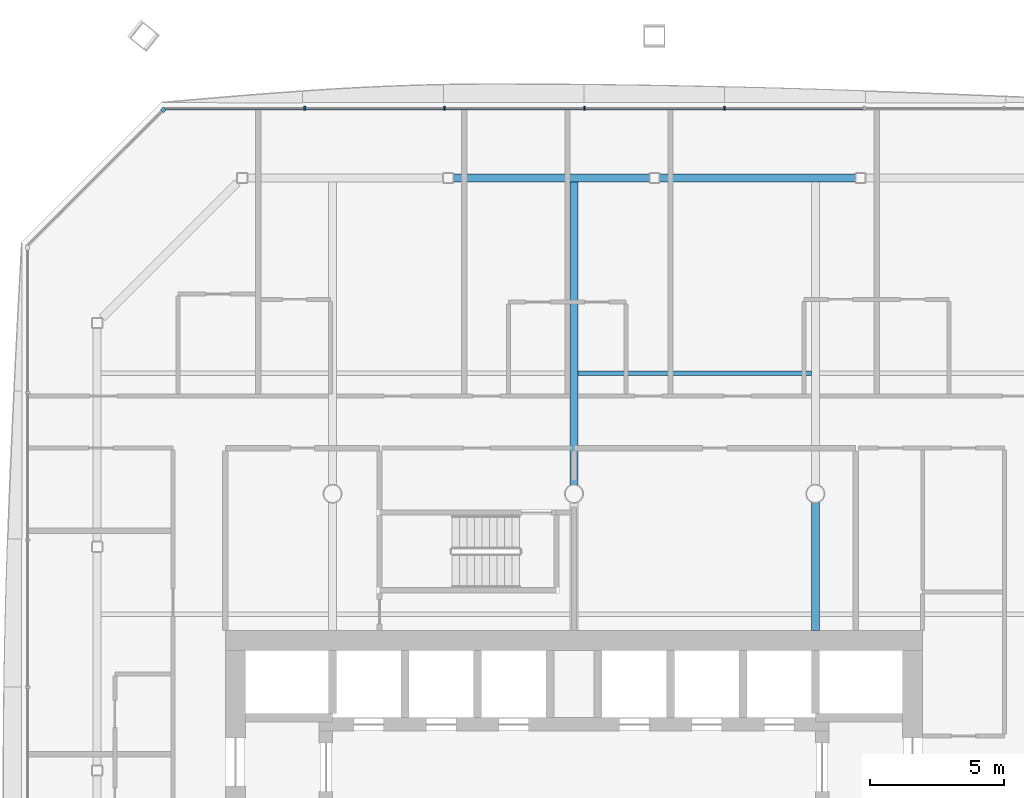
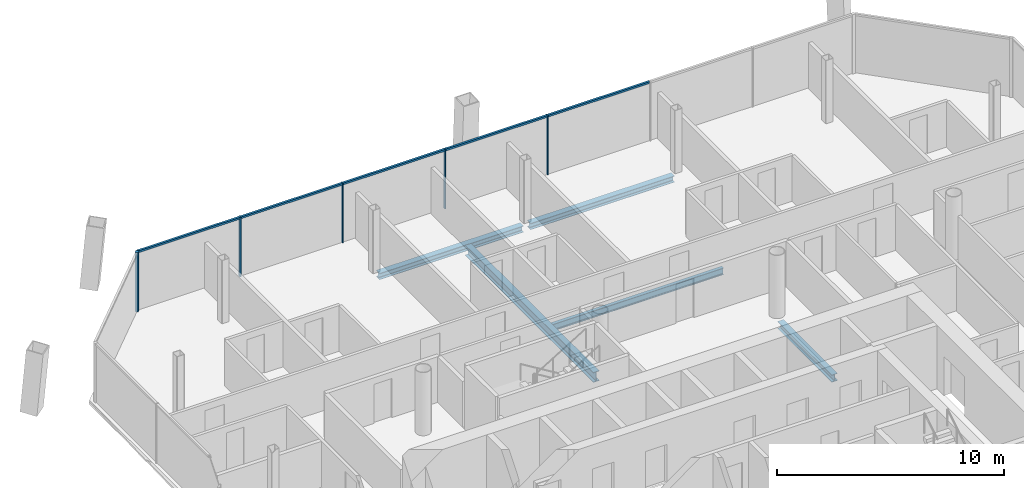
# One storey, part 9 of 21: 10 members, 5 beams, 2 elements without a shape of their own.
"""IFC4 building model written with IfcOpenShell, lengths in metres."""

from ifc_helpers import new_model, si_unit, direction, frame, origin, origin_2d, place, context, subcontext, project, spatial, rectangle, i_section, extrude, material, material_profile, profile_set, type_object, element, aggregate, save


model = new_model("IFC4")

# Units and contexts
model_context = context("Model", 3, precision=1e-05, world=origin(), true_north=direction((0.0, 1.0)))
body_context = subcontext(model_context, "Body", "Model", "MODEL_VIEW")
ifc_project = project(units=[si_unit("LENGTHUNIT", "METRE"), si_unit("AREAUNIT", "SQUARE_METRE"), si_unit("VOLUMEUNIT", "CUBIC_METRE"), si_unit("PLANEANGLEUNIT", "RADIAN"), si_unit("MASSUNIT", "GRAM", prefix="KILO")], contexts=[model_context])

# Site, building, storey
site_placement = place(None, origin())
site = spatial("IfcSite", under=ifc_project, at=site_placement, CompositionType="ELEMENT")
building_placement = place(site_placement, origin())
building = spatial("IfcBuilding", under=site, at=building_placement, Name="Tskaro Facet Tower", CompositionType="ELEMENT")
storey_placement = place(building_placement, frame((0.0, 0.0, 128.300048828125)))
storey = spatial("IfcBuildingStorey", under=building, at=storey_placement, Name="L30", CompositionType="ELEMENT", Elevation=128.300048828125)

# Curtain wall, member
ifc_material_1 = material(Name="Bronze anodised aluminium 6063-T6", Category="aluminium")
curtain_wall_type = type_object("IfcCurtainWallType", Name="Bronze hotel curtain wall (FW2)", PredefinedType="NOTDEFINED", material=ifc_material_1)
curtain_wall_1_placement = place(storey_placement, origin())
curtain_wall_1 = element("IfcCurtainWall", 1, at=curtain_wall_1_placement, inside=storey, type_object=curtain_wall_type, Name="FW2 north-west facet L30", PredefinedType="NOTDEFINED")
ifc_material_profile_1 = material_profile(ifc_material_1, rectangle(XDim=0.14990234375, YDim=0.14990234375, at=origin_2d()), Name="Corner post 150x150")
ifc_profile_set_1 = profile_set([ifc_material_profile_1], Name="Bronze anodised aluminium 6063-T6")
member_type_1 = type_object("IfcMemberType", Name="FW2 bronze corner post 150x150", PredefinedType="MULLION", material=ifc_profile_set_1)
member_1_placement = place(storey_placement, frame((-15.30615234375, 23.31396484375, 0.0), z_axis=(0.0, 0.0, 1.0), x_axis=(-0.707106781187, -0.707106781187, 0.0)))
member_1 = element("IfcMember", 2, at=member_1_placement, type_object=member_type_1, Name="FW2 north-west corner post", PredefinedType="MULLION", context=body_context, shape_type="SweptSolid", body=[
    extrude(rectangle(XDim=0.14990234375, YDim=0.14990234375, at=origin_2d()), origin(), (0.0, 0.0, 1.0), 3.199951171875),
])
aggregate(curtain_wall_1, [member_1])

# Curtain wall, members
curtain_wall_2_placement = place(storey_placement, origin())
curtain_wall_2 = element("IfcCurtainWall", 3, at=curtain_wall_2_placement, inside=storey, type_object=curtain_wall_type, Name="FW2 north facet L30", PredefinedType="NOTDEFINED")
ifc_material_profile_2 = material_profile(ifc_material_1, rectangle(XDim=0.06005859375, YDim=0.14990234375, at=origin_2d()), Name="Mullion 60x150")
ifc_profile_set_2 = profile_set([ifc_material_profile_2], Name="Bronze anodised aluminium 6063-T6")
member_type_2 = type_object("IfcMemberType", Name="FW2 bronze mullion 60x150", PredefinedType="MULLION", material=ifc_profile_set_2)
member_2_placement = place(storey_placement, frame((5.607666015625, 23.366943359375, 0.0), z_axis=(0.0, 0.0, 1.0), x_axis=(-1.0, 0.0, 0.0)))
member_2 = element("IfcMember", 4, at=member_2_placement, type_object=member_type_2, Name="FW2 north mullion 3", PredefinedType="MULLION", context=body_context, shape_type="SweptSolid", body=[
    extrude(rectangle(XDim=0.06005859375, YDim=0.14990234375, at=origin_2d()), origin(), (0.0, 0.0, 1.0), 3.199951171875),
])
member_3_placement = place(storey_placement, frame((0.392333984375, 23.366943359375, 0.0), z_axis=(0.0, 0.0, 1.0), x_axis=(-1.0, 0.0, 0.0)))
member_3 = element("IfcMember", 5, at=member_3_placement, type_object=member_type_2, Name="FW2 north mullion 4", PredefinedType="MULLION", context=body_context, shape_type="SweptSolid", body=[
    extrude(rectangle(XDim=0.06005859375, YDim=0.14990234375, at=origin_2d()), origin(), (0.0, 0.0, 1.0), 3.199951171875),
])
member_4_placement = place(storey_placement, frame((-4.82275390625, 23.366943359375, 0.0), z_axis=(0.0, 0.0, 1.0), x_axis=(-1.0, 0.0, 0.0)))
member_4 = element("IfcMember", 6, at=member_4_placement, type_object=member_type_2, Name="FW2 north mullion 5", PredefinedType="MULLION", context=body_context, shape_type="SweptSolid", body=[
    extrude(rectangle(XDim=0.06005859375, YDim=0.14990234375, at=origin_2d()), origin(), (0.0, 0.0, 1.0), 3.199951171875),
])
member_5_placement = place(storey_placement, frame((-10.037841796875, 23.366943359375, 0.0), z_axis=(0.0, 0.0, 1.0), x_axis=(-1.0, 0.0, 0.0)))
member_5 = element("IfcMember", 7, at=member_5_placement, type_object=member_type_2, Name="FW2 north mullion 6", PredefinedType="MULLION", context=body_context, shape_type="SweptSolid", body=[
    extrude(rectangle(XDim=0.06005859375, YDim=0.14990234375, at=origin_2d()), origin(), (0.0, 0.0, 1.0), 3.199951171875),
])
ifc_material_profile_3 = material_profile(ifc_material_1, rectangle(XDim=0.110107421875, YDim=0.10009765625, at=origin_2d()), Name="Transom 110x100")
ifc_profile_set_3 = profile_set([ifc_material_profile_3], Name="Bronze anodised aluminium 6063-T6")
member_type_3 = type_object("IfcMemberType", Name="FW2 bronze transom 110x100", PredefinedType="USERDEFINED", material=ifc_profile_set_3)
member_6_placement = place(storey_placement, frame((10.792724609375, 23.366943359375, 3.14990234375), z_axis=(-1.0, 0.0, 0.0), x_axis=(0.0, -1.0, 0.0)))
member_6 = element("IfcMember", 8, at=member_6_placement, type_object=member_type_3, Name="FW2 north transom 3.1", ObjectType="TRANSOM", PredefinedType="USERDEFINED", context=body_context, shape_type="SweptSolid", body=[
    extrude(rectangle(XDim=0.110107421875, YDim=0.10009765625, at=origin_2d()), origin(), (0.0, 0.0, 1.0), 5.1552734375),
])
member_7_placement = place(storey_placement, frame((5.57763671875, 23.366943359375, 3.14990234375), z_axis=(-1.0, 0.0, 0.0), x_axis=(0.0, -1.0, 0.0)))
member_7 = element("IfcMember", 9, at=member_7_placement, type_object=member_type_3, Name="FW2 north transom 4.1", ObjectType="TRANSOM", PredefinedType="USERDEFINED", context=body_context, shape_type="SweptSolid", body=[
    extrude(rectangle(XDim=0.110107421875, YDim=0.10009765625, at=origin_2d()), origin(), (0.0, 0.0, 1.0), 5.1552734375),
])
member_8_placement = place(storey_placement, frame((0.362548828125, 23.366943359375, 3.14990234375), z_axis=(-1.0, 0.0, 0.0), x_axis=(0.0, -1.0, 0.0)))
member_8 = element("IfcMember", 10, at=member_8_placement, type_object=member_type_3, Name="FW2 north transom 5.1", ObjectType="TRANSOM", PredefinedType="USERDEFINED", context=body_context, shape_type="SweptSolid", body=[
    extrude(rectangle(XDim=0.110107421875, YDim=0.10009765625, at=origin_2d()), origin(), (0.0, 0.0, 1.0), 5.1552734375),
])
member_9_placement = place(storey_placement, frame((-4.852783203125, 23.366943359375, 3.14990234375), z_axis=(-1.0, 0.0, 0.0), x_axis=(0.0, -1.0, 0.0)))
member_9 = element("IfcMember", 11, at=member_9_placement, type_object=member_type_3, Name="FW2 north transom 6.1", ObjectType="TRANSOM", PredefinedType="USERDEFINED", context=body_context, shape_type="SweptSolid", body=[
    extrude(rectangle(XDim=0.110107421875, YDim=0.10009765625, at=origin_2d()), origin(), (0.0, 0.0, 1.0), 5.155029296875),
])
member_10_placement = place(storey_placement, frame((-10.06787109375, 23.366943359375, 3.14990234375), z_axis=(-1.0, 0.0, 0.0), x_axis=(0.0, -1.0, 0.0)))
member_10 = element("IfcMember", 12, at=member_10_placement, type_object=member_type_3, Name="FW2 north transom 7.1", ObjectType="TRANSOM", PredefinedType="USERDEFINED", context=body_context, shape_type="SweptSolid", body=[
    extrude(rectangle(XDim=0.110107421875, YDim=0.10009765625, at=origin_2d()), origin(), (0.0, 0.0, 1.0), 5.18505859375),
])
aggregate(curtain_wall_2, [member_2, member_3, member_4, member_5, member_6, member_7, member_8, member_9, member_10])

# Beams
ifc_material_2 = material(Name="Steel S355J2", Category="steel")
ifc_material_profile_4 = material_profile(ifc_material_2, i_section(OverallWidth=0.300048828125, OverallDepth=0.340087890625, WebThickness=0.011962890625, FlangeThickness=0.021484375, FilletRadius=0.027099609375, at=origin_2d()), Name="HE 340 B")
ifc_profile_set_4 = profile_set([ifc_material_profile_4], Name="Steel S355J2")
beam_type_1 = type_object("IfcBeamType", Name="HE 340 B ring beam", PredefinedType="BEAM", material=ifc_profile_set_4)
for number, where, z_axis, x_axis, name in (
    (13, (10.50390625, 20.77392578125, -0.31005859375), (-1.0, 0.0, 0.0), (0.0, -1.0, 0.0), "HE 340 B EB12-3"),
    (14, (2.820068359375, 20.77392578125, -0.31005859375), (-1.0, 0.0, 0.0), (0.0, -1.0, 0.0), "HE 340 B EB13-3"),
):
    element("IfcBeam", number, at=place(storey_placement, frame(where, z_axis=z_axis, x_axis=x_axis)), inside=storey, type_object=beam_type_1, Name=name, PredefinedType="BEAM", context=body_context, shape_type="SweptSolid", body=[
        extrude(i_section(OverallWidth=0.300048828125, OverallDepth=0.340087890625, WebThickness=0.011962890625, FlangeThickness=0.021484375, FilletRadius=0.027099609375, at=origin_2d()), origin(), (0.0, 0.0, 1.0), 7.323974609375),
    ])
ifc_material_profile_5 = material_profile(ifc_material_2, i_section(OverallWidth=0.300048828125, OverallDepth=0.389892578125, WebThickness=0.010986328125, FlangeThickness=0.01904296875, FilletRadius=0.027099609375, at=origin_2d()), Name="HE 400 A")
ifc_profile_set_5 = profile_set([ifc_material_profile_5], Name="Steel S355J2")
beam_type_2 = type_object("IfcBeamType", Name="HE 400 A girder", PredefinedType="BEAM", material=ifc_profile_set_5)
beam_1_placement = place(storey_placement, frame((9.0, 3.89990234375, -0.3349609375), z_axis=(0.0, 1.0, 0.0), x_axis=(-1.0, 0.0, 0.0)))
element("IfcBeam", 15, at=beam_1_placement, inside=storey, type_object=beam_type_2, Name="HE 400 A GB5-2-3", PredefinedType="BEAM", context=body_context, shape_type="SweptSolid", body=[
    extrude(i_section(OverallWidth=0.300048828125, OverallDepth=0.389892578125, WebThickness=0.010986328125, FlangeThickness=0.01904296875, FilletRadius=0.027099609375, at=origin_2d()), origin(), (0.0, 0.0, 1.0), 4.774658203125),
])
ifc_material_profile_6 = material_profile(ifc_material_2, i_section(OverallWidth=0.300048828125, OverallDepth=0.5400390625, WebThickness=0.012451171875, FlangeThickness=0.02392578125, FilletRadius=0.027099609375, at=origin_2d()), Name="HE 550 A")
ifc_profile_set_6 = profile_set([ifc_material_profile_6], Name="Steel S355J2")
beam_type_3 = type_object("IfcBeamType", Name="HE 550 A long girder", PredefinedType="BEAM", material=ifc_profile_set_6)
beam_2_placement = place(storey_placement, frame((0.0, 9.325439453125, -0.41015625), z_axis=(0.0, 1.0, 0.0), x_axis=(-1.0, 0.0, 0.0)))
element("IfcBeam", 16, at=beam_2_placement, inside=storey, type_object=beam_type_3, Name="HE 550 A LGB4-3-3", PredefinedType="BEAM", context=body_context, shape_type="SweptSolid", body=[
    extrude(i_section(OverallWidth=0.300048828125, OverallDepth=0.5400390625, WebThickness=0.012451171875, FlangeThickness=0.02392578125, FilletRadius=0.027099609375, at=origin_2d()), origin(), (0.0, 0.0, 1.0), 11.298583984375),
])
ifc_material_profile_7 = material_profile(ifc_material_2, i_section(OverallWidth=0.169921875, OverallDepth=0.360107421875, WebThickness=0.008056640625, FlangeThickness=0.0126953125, FilletRadius=0.01806640625, at=origin_2d()), Name="IPE 360")
ifc_profile_set_7 = profile_set([ifc_material_profile_7], Name="Steel S355J2")
beam_type_4 = type_object("IfcBeamType", Name="IPE 360 secondary beam", PredefinedType="BEAM", material=ifc_profile_set_7)
beam_3_placement = place(storey_placement, frame((0.14990234375, 13.5, -0.320068359375), z_axis=(1.0, 0.0, 0.0), x_axis=(0.0, 1.0, 0.0)))
element("IfcBeam", 17, at=beam_3_placement, inside=storey, type_object=beam_type_4, Name="IPE 360 SB5a-3-3", PredefinedType="BEAM", context=body_context, shape_type="SweptSolid", body=[
    extrude(i_section(OverallWidth=0.169921875, OverallDepth=0.360107421875, WebThickness=0.008056640625, FlangeThickness=0.0126953125, FilletRadius=0.01806640625, at=origin_2d()), origin(), (0.0, 0.0, 1.0), 8.7001953125),
])

save(model, "model.ifc")
